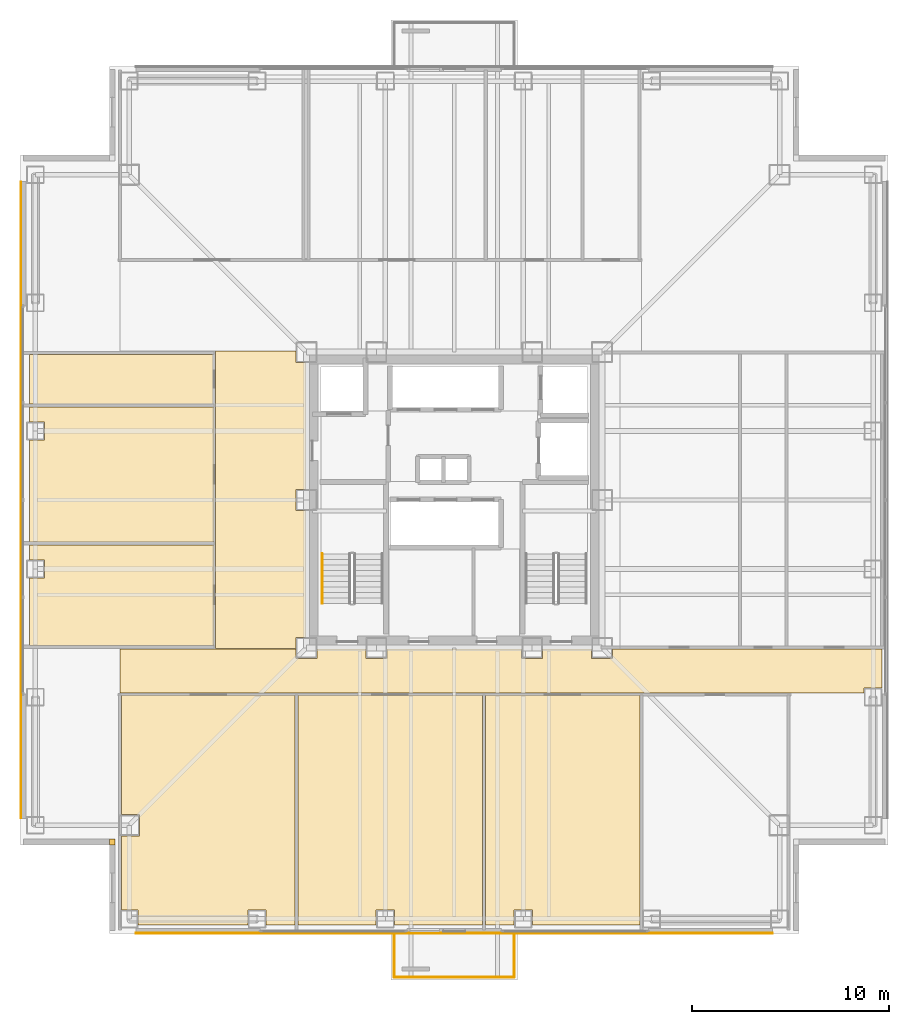
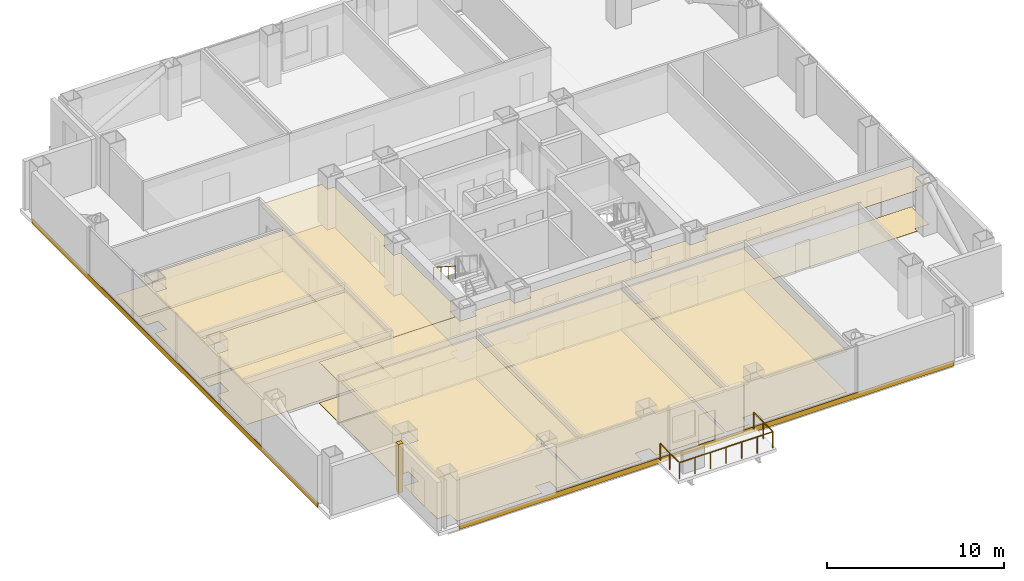
# One storey, part 12 of 14: 18 coverings, 4 railings.
"""IFC4 building model written with IfcOpenShell, lengths in metres."""

from ifc_helpers import new_model, si_unit, direction, frame, frame_2d, origin, origin_2d, place, context, subcontext, project, spatial, polyline, rectangle, circle, outline, extrude, material, layer, layer_set, type_object, element, save


model = new_model("IFC4")

# Units and contexts
model_context = context("Model", 3, precision=1e-05, world=origin(), true_north=direction((0.0, 1.0)))
body_context = subcontext(model_context, "Body", "Model", "MODEL_VIEW")
ifc_project = project(units=[si_unit("LENGTHUNIT", "METRE"), si_unit("AREAUNIT", "SQUARE_METRE"), si_unit("VOLUMEUNIT", "CUBIC_METRE"), si_unit("PLANEANGLEUNIT", "RADIAN"), si_unit("MASSUNIT", "GRAM", prefix="KILO")], contexts=[model_context])

# Site, building, storey
site_placement = place(None, origin())
site = spatial("IfcSite", under=ifc_project, at=site_placement, CompositionType="ELEMENT")
building_placement = place(site_placement, origin())
building = spatial("IfcBuilding", under=site, at=building_placement, Name="Trevonay Congress Spire", CompositionType="ELEMENT")
storey_placement = place(building_placement, frame((0.0, 0.0, 133.60009765625)))
storey = spatial("IfcBuildingStorey", under=building, at=storey_placement, Name="L34", CompositionType="ELEMENT", Elevation=133.60009765625)

# Coverings
ifc_material_1 = material(Name="Acoustic Mineral Fibre Board", Category="gypsum")
ifc_layer_1 = layer(ifc_material_1, 0.02490234375, Name="Acoustic Mineral Fibre Board")
ifc_layer_set_1 = layer_set([ifc_layer_1], Name="Acoustic Mineral Fibre Board")
covering_type_1 = type_object("IfcCoveringType", Name="COV-CEIL-ACOUSTIC", PredefinedType="CEILING", material=ifc_layer_set_1)
covering_1_placement = place(storey_placement, frame((0.0, 0.0, 2.809814453125)))
element("IfcCovering", 1, at=covering_1_placement, inside=storey, type_object=covering_type_1, Name="L34 Congress South Spine Corridor acoustic suspended ceiling", PredefinedType="CEILING", context=body_context, shape_type="SweptSolid", body=[
    extrude(outline(polyline([(-16.949951171875, -9.800048828125), (-16.949951171875, -7.550048828125), (-8.034912109375, -7.550048828125), (-8.034912109375, -8.034912109375), (-6.965087890625, -8.034912109375), (-6.965087890625, -7.550048828125), (-4.485107421875, -7.550048828125), (-4.485107421875, -8.034912109375), (-3.4150390625, -8.034912109375), (-3.4150390625, -7.550048828125), (3.4150390625, -7.550048828125), (3.4150390625, -8.034912109375), (4.485107421875, -8.034912109375), (4.485107421875, -7.550048828125), (6.965087890625, -7.550048828125), (6.965087890625, -8.034912109375), (8.034912109375, -8.034912109375), (8.034912109375, -7.550048828125), (21.699951171875, -7.550048828125), (21.699951171875, -9.5400390625), (20.7900390625, -9.5400390625), (20.7900390625, -9.800048828125), (-16.949951171875, -9.800048828125)])), origin(), (0.0, 0.0, 1.0), 0.025146484375),
])
covering_2_placement = place(storey_placement, frame((0.0, 0.0, 2.809814453125)))
element("IfcCovering", 2, at=covering_2_placement, inside=storey, type_object=covering_type_1, Name="L34 West Sky Promenade Salon acoustic suspended ceiling", PredefinedType="CEILING", context=body_context, shape_type="SweptSolid", body=[
    extrude(outline(polyline([(-12.10009765625, 7.550048828125), (-8.034912109375, 7.550048828125), (-8.034912109375, 6.965087890625), (-7.550048828125, 6.965087890625), (-7.550048828125, 0.534912109375), (-8.034912109375, 0.534912109375), (-8.034912109375, -0.534912109375), (-7.550048828125, -0.534912109375), (-7.550048828125, -6.965087890625), (-8.034912109375, -6.965087890625), (-8.034912109375, -7.5400390625), (-12.10009765625, -7.5400390625), (-12.10009765625, 7.550048828125)])), origin(), (0.0, 0.0, 1.0), 0.025146484375),
])
covering_3_placement = place(storey_placement, frame((0.0, 0.0, 2.809814453125)))
element("IfcCovering", 3, at=covering_3_placement, inside=storey, type_object=covering_type_1, Name="L34 Diplomatic Academy Lecture Room 1 acoustic suspended ceiling", PredefinedType="CEILING", context=body_context, shape_type="SweptSolid", body=[
    extrude(outline(polyline([(-16.0400390625, -21.550048828125), (-16.0400390625, -20.7900390625), (-16.8701171875, -20.7900390625), (-16.8701171875, -17.034912109375), (-15.965087890625, -17.034912109375), (-15.965087890625, -15.965087890625), (-16.8701171875, -15.965087890625), (-16.8701171875, -9.8798828125), (-8.080078125, -9.8798828125), (-8.080078125, -21.550048828125), (-9.5400390625, -21.550048828125), (-9.5400390625, -20.7900390625), (-10.4599609375, -20.7900390625), (-10.4599609375, -21.550048828125), (-16.0400390625, -21.550048828125)])), origin(), (0.0, 0.0, 1.0), 0.025146484375),
])
covering_4_placement = place(storey_placement, frame((0.0, 0.0, 2.809814453125)))
element("IfcCovering", 4, at=covering_4_placement, inside=storey, type_object=covering_type_1, Name="L34 Language Lab Classroom 2 acoustic suspended ceiling", PredefinedType="CEILING", context=body_context, shape_type="SweptSolid", body=[
    extrude(outline(polyline([(-7.919921875, -21.550048828125), (-7.919921875, -9.8798828125), (1.419921875, -9.8798828125), (1.419921875, -21.550048828125), (-3.0400390625, -21.550048828125), (-3.0400390625, -20.7900390625), (-3.9599609375, -20.7900390625), (-3.9599609375, -21.550048828125), (-7.919921875, -21.550048828125)])), origin(), (0.0, 0.0, 1.0), 0.025146484375),
])
covering_5_placement = place(storey_placement, frame((0.0, 0.0, 2.809814453125)))
element("IfcCovering", 5, at=covering_5_placement, inside=storey, type_object=covering_type_1, Name="L34 Reference Library Reading Hall acoustic suspended ceiling", PredefinedType="CEILING", context=body_context, shape_type="SweptSolid", body=[
    extrude(outline(polyline([(1.580078125, -21.550048828125), (1.580078125, -9.8798828125), (9.419921875, -9.8798828125), (9.419921875, -21.550048828125), (3.9599609375, -21.550048828125), (3.9599609375, -20.7900390625), (3.0400390625, -20.7900390625), (3.0400390625, -21.550048828125), (1.580078125, -21.550048828125)])), origin(), (0.0, 0.0, 1.0), 0.025146484375),
])
covering_6_placement = place(storey_placement, frame((0.0, 0.0, 2.809814453125)))
element("IfcCovering", 6, at=covering_6_placement, inside=storey, type_object=covering_type_1, Name="L34 Faculty Office West acoustic suspended ceiling", PredefinedType="CEILING", context=body_context, shape_type="SweptSolid", body=[
    extrude(outline(polyline([(-21.550048828125, -2.280029296875), (-12.179931640625, -2.280029296875), (-12.179931640625, -7.3701171875), (-21.550048828125, -7.3701171875), (-21.550048828125, -3.9599609375), (-20.7900390625, -3.9599609375), (-20.7900390625, -3.0400390625), (-21.550048828125, -3.0400390625), (-21.550048828125, -2.280029296875)])), origin(), (0.0, 0.0, 1.0), 0.025146484375),
])
covering_7_placement = place(storey_placement, frame((0.0, 0.0, 2.809814453125)))
element("IfcCovering", 7, at=covering_7_placement, inside=storey, type_object=covering_type_1, Name="L34 Tutorial Seminar Room acoustic suspended ceiling", PredefinedType="CEILING", context=body_context, shape_type="SweptSolid", body=[
    extrude(outline(polyline([(-21.550048828125, 4.719970703125), (-12.179931640625, 4.719970703125), (-12.179931640625, -2.1201171875), (-21.550048828125, -2.1201171875), (-21.550048828125, 3.0400390625), (-20.7900390625, 3.0400390625), (-20.7900390625, 3.9599609375), (-21.550048828125, 3.9599609375), (-21.550048828125, 4.719970703125)])), origin(), (0.0, 0.0, 1.0), 0.025146484375),
])
ifc_material_2 = material(Name="Polished Granite Floor Tile", Category="masonry")
ifc_layer_2 = layer(ifc_material_2, 0.02001953125, Name="Polished Granite Floor Tile")
ifc_layer_set_2 = layer_set([ifc_layer_2], Name="Polished Granite Floor Tile")
covering_type_2 = type_object("IfcCoveringType", Name="COV-FLOOR-STONE", PredefinedType="FLOORING", material=ifc_layer_set_2)
covering_8_placement = place(storey_placement, origin())
element("IfcCovering", 8, at=covering_8_placement, inside=storey, type_object=covering_type_2, Name="L34 Congress South Spine Corridor floor finish", PredefinedType="FLOORING", context=body_context, shape_type="SweptSolid", body=[
    extrude(outline(polyline([(-16.949951171875, -9.800048828125), (-16.949951171875, -7.550048828125), (-8.034912109375, -7.550048828125), (-8.034912109375, -8.034912109375), (-6.965087890625, -8.034912109375), (-6.965087890625, -7.550048828125), (-4.485107421875, -7.550048828125), (-4.485107421875, -8.034912109375), (-3.4150390625, -8.034912109375), (-3.4150390625, -7.550048828125), (3.4150390625, -7.550048828125), (3.4150390625, -8.034912109375), (4.485107421875, -8.034912109375), (4.485107421875, -7.550048828125), (6.965087890625, -7.550048828125), (6.965087890625, -8.034912109375), (8.034912109375, -8.034912109375), (8.034912109375, -7.550048828125), (21.699951171875, -7.550048828125), (21.699951171875, -9.5400390625), (20.7900390625, -9.5400390625), (20.7900390625, -9.800048828125), (-16.949951171875, -9.800048828125)])), origin(), (0.0, 0.0, 1.0), 0.02001953125),
])
covering_9_placement = place(storey_placement, origin())
element("IfcCovering", 9, at=covering_9_placement, inside=storey, type_object=covering_type_2, Name="L34 Accessible WC floor finish", PredefinedType="FLOORING", context=body_context, shape_type="SweptSolid", body=[
    extrude(outline(polyline([(-21.550048828125, 4.8798828125), (-12.179931640625, 4.8798828125), (-12.179931640625, 7.3701171875), (-21.550048828125, 7.3701171875), (-21.550048828125, 4.8798828125)])), origin(), (0.0, 0.0, 1.0), 0.02001953125),
])
ifc_material_3 = material(Name="Engineered Oak Flooring", Category="wood")
ifc_layer_3 = layer(ifc_material_3, 0.01806640625, Name="Engineered Oak Flooring")
ifc_layer_set_3 = layer_set([ifc_layer_3], Name="Engineered Oak Flooring")
covering_type_3 = type_object("IfcCoveringType", Name="COV-FLOOR-TIMBER", PredefinedType="FLOORING", material=ifc_layer_set_3)
covering_10_placement = place(storey_placement, origin())
element("IfcCovering", 10, at=covering_10_placement, inside=storey, type_object=covering_type_3, Name="L34 West Sky Promenade Salon floor finish", PredefinedType="FLOORING", context=body_context, shape_type="SweptSolid", body=[
    extrude(outline(polyline([(-12.10009765625, 7.550048828125), (-8.034912109375, 7.550048828125), (-8.034912109375, 6.965087890625), (-7.550048828125, 6.965087890625), (-7.550048828125, 0.534912109375), (-8.034912109375, 0.534912109375), (-8.034912109375, -0.534912109375), (-7.550048828125, -0.534912109375), (-7.550048828125, -6.965087890625), (-8.034912109375, -6.965087890625), (-8.034912109375, -7.5400390625), (-12.10009765625, -7.5400390625), (-12.10009765625, 7.550048828125)])), origin(), (0.0, 0.0, 1.0), 0.017822265625),
])
covering_11_placement = place(storey_placement, origin())
element("IfcCovering", 11, at=covering_11_placement, inside=storey, type_object=covering_type_3, Name="L34 Diplomatic Academy Lecture Room 1 floor finish", PredefinedType="FLOORING", context=body_context, shape_type="SweptSolid", body=[
    extrude(outline(polyline([(-16.0400390625, -21.550048828125), (-16.0400390625, -20.7900390625), (-16.8701171875, -20.7900390625), (-16.8701171875, -17.034912109375), (-15.965087890625, -17.034912109375), (-15.965087890625, -15.965087890625), (-16.8701171875, -15.965087890625), (-16.8701171875, -9.8798828125), (-8.080078125, -9.8798828125), (-8.080078125, -21.550048828125), (-9.5400390625, -21.550048828125), (-9.5400390625, -20.7900390625), (-10.4599609375, -20.7900390625), (-10.4599609375, -21.550048828125), (-16.0400390625, -21.550048828125)])), origin(), (0.0, 0.0, 1.0), 0.017822265625),
])
covering_12_placement = place(storey_placement, origin())
element("IfcCovering", 12, at=covering_12_placement, inside=storey, type_object=covering_type_3, Name="L34 Language Lab Classroom 2 floor finish", PredefinedType="FLOORING", context=body_context, shape_type="SweptSolid", body=[
    extrude(outline(polyline([(-7.919921875, -21.550048828125), (-7.919921875, -9.8798828125), (1.419921875, -9.8798828125), (1.419921875, -21.550048828125), (-3.0400390625, -21.550048828125), (-3.0400390625, -20.7900390625), (-3.9599609375, -20.7900390625), (-3.9599609375, -21.550048828125), (-7.919921875, -21.550048828125)])), origin(), (0.0, 0.0, 1.0), 0.017822265625),
])
covering_13_placement = place(storey_placement, origin())
element("IfcCovering", 13, at=covering_13_placement, inside=storey, type_object=covering_type_3, Name="L34 Reference Library Reading Hall floor finish", PredefinedType="FLOORING", context=body_context, shape_type="SweptSolid", body=[
    extrude(outline(polyline([(1.580078125, -21.550048828125), (1.580078125, -9.8798828125), (9.419921875, -9.8798828125), (9.419921875, -21.550048828125), (3.9599609375, -21.550048828125), (3.9599609375, -20.7900390625), (3.0400390625, -20.7900390625), (3.0400390625, -21.550048828125), (1.580078125, -21.550048828125)])), origin(), (0.0, 0.0, 1.0), 0.017822265625),
])
covering_14_placement = place(storey_placement, origin())
element("IfcCovering", 14, at=covering_14_placement, inside=storey, type_object=covering_type_3, Name="L34 Faculty Office West floor finish", PredefinedType="FLOORING", context=body_context, shape_type="SweptSolid", body=[
    extrude(outline(polyline([(-21.550048828125, -2.280029296875), (-12.179931640625, -2.280029296875), (-12.179931640625, -7.3701171875), (-21.550048828125, -7.3701171875), (-21.550048828125, -3.9599609375), (-20.7900390625, -3.9599609375), (-20.7900390625, -3.0400390625), (-21.550048828125, -3.0400390625), (-21.550048828125, -2.280029296875)])), origin(), (0.0, 0.0, 1.0), 0.017822265625),
])
covering_15_placement = place(storey_placement, origin())
element("IfcCovering", 15, at=covering_15_placement, inside=storey, type_object=covering_type_3, Name="L34 Tutorial Seminar Room floor finish", PredefinedType="FLOORING", context=body_context, shape_type="SweptSolid", body=[
    extrude(outline(polyline([(-21.550048828125, 4.719970703125), (-12.179931640625, 4.719970703125), (-12.179931640625, -2.1201171875), (-21.550048828125, -2.1201171875), (-21.550048828125, 3.0400390625), (-20.7900390625, 3.0400390625), (-20.7900390625, 3.9599609375), (-21.550048828125, 3.9599609375), (-21.550048828125, 4.719970703125)])), origin(), (0.0, 0.0, 1.0), 0.017822265625),
])
ifc_material_4 = material(Name="Pale Anodised Aluminium EN AW-6063-T6", Category="aluminium")
ifc_layer_4 = layer(ifc_material_4, 0.0400390625, Name="Pale Anodised Aluminium EN AW-6063-T6")
ifc_layer_set_4 = layer_set([ifc_layer_4], Name="Pale Anodised Aluminium EN AW-6063-T6")
covering_type_4 = type_object("IfcCoveringType", Name="COV-SPANDREL-PALE-METAL", PredefinedType="CLADDING", material=ifc_layer_set_4)
for number, where, z_axis, x_axis, name in (
    (16, (-16.14990234375, -21.97998046875, -0.239990234375), (0.0, 0.0, 1.0), (1.0, 0.0, 0.0), "L34 S pale-metal slab-edge spandrel cladding"),
    (17, (-21.97998046875, -16.14990234375, -0.239990234375), (0.0, 0.0, 1.0), (0.0, 1.0, 0.0), "L34 W pale-metal slab-edge spandrel cladding"),
):
    element("IfcCovering", number, at=place(storey_placement, frame(where, z_axis=z_axis, x_axis=x_axis)), inside=storey, type_object=covering_type_4, Name=name, PredefinedType="CLADDING", context=body_context, shape_type="SweptSolid", body=[
        extrude(rectangle(XDim=32.2998046875, YDim=0.0400390625, at=frame_2d((16.14990234375, 0.0))), origin(), (0.0, 0.0, 1.0), 0.35986328125),
    ])
covering_16_placement = place(storey_placement, origin())
element("IfcCovering", 18, at=covering_16_placement, inside=storey, type_object=covering_type_4, Name="L34 SW re-entrant notch corner closure trim", PredefinedType="CLADDING", context=body_context, shape_type="SweptSolid", body=[
    extrude(outline(polyline([(-17.5, -17.5), (-17.199951171875, -17.5), (-17.199951171875, -17.199951171875), (-17.5, -17.199951171875), (-17.5, -17.5)])), origin(), (0.0, 0.0, 1.0), 3.35986328125),
])

# Railings
railing_type_1 = type_object("IfcRailingType", Name="RAL-EXT-GUARD-115", PredefinedType="GUARDRAIL", material=ifc_material_4)
railing_1_placement = place(storey_placement, frame((-3.050048828125, -22.050048828125, 0.0)))
element("IfcRailing", 19, at=railing_1_placement, inside=storey, type_object=railing_type_1, Name="L34 perimeter safety guard GRD-L34-TBAL-S-1", PredefinedType="GUARDRAIL", context=body_context, shape_type="SweptSolid", body=[
    extrude(circle(Radius=0.02392578125, at=origin_2d()), frame((0.0, 0.0, 1.1259765625), z_axis=(0.0, -1.0, 0.0), x_axis=(1.0, 0.0, 0.0)), (0.0, 0.0, 1.0), 2.14990234375),
    extrude(circle(Radius=0.02099609375, at=origin_2d()), origin(), (0.0, 0.0, 1.0), 1.101806640625),
    extrude(circle(Radius=0.02099609375, at=origin_2d()), frame((0.0, -1.074951171875, 0.0)), (0.0, 0.0, 1.0), 1.101806640625),
    extrude(circle(Radius=0.02099609375, at=origin_2d()), frame((0.0, -2.14990234375, 0.0)), (0.0, 0.0, 1.0), 1.101806640625),
])
railing_2_placement = place(storey_placement, frame((-3.050048828125, -24.199951171875, 0.0)))
element("IfcRailing", 20, at=railing_2_placement, inside=storey, type_object=railing_type_1, Name="L34 perimeter safety guard GRD-L34-TBAL-S-2", PredefinedType="GUARDRAIL", context=body_context, shape_type="SweptSolid", body=[
    extrude(circle(Radius=0.02392578125, at=origin_2d()), frame((0.0, 0.0, 1.1259765625), z_axis=(1.0, 0.0, 0.0), x_axis=(0.0, 1.0, 0.0)), (0.0, 0.0, 1.0), 6.10009765625),
    extrude(circle(Radius=0.02099609375, at=origin_2d()), origin(), (0.0, 0.0, 1.0), 1.101806640625),
    extrude(circle(Radius=0.02099609375, at=origin_2d()), frame((1.0166015625, 0.0, 0.0)), (0.0, 0.0, 1.0), 1.101806640625),
    extrude(circle(Radius=0.02099609375, at=origin_2d()), frame((2.033447265625, 0.0, 0.0)), (0.0, 0.0, 1.0), 1.101806640625),
    extrude(circle(Radius=0.02099609375, at=origin_2d()), frame((3.050048828125, 0.0, 0.0)), (0.0, 0.0, 1.0), 1.101806640625),
    extrude(circle(Radius=0.02099609375, at=origin_2d()), frame((4.066650390625, 0.0, 0.0)), (0.0, 0.0, 1.0), 1.101806640625),
    extrude(circle(Radius=0.02099609375, at=origin_2d()), frame((5.08349609375, 0.0, 0.0)), (0.0, 0.0, 1.0), 1.101806640625),
    extrude(circle(Radius=0.02099609375, at=origin_2d()), frame((6.10009765625, 0.0, 0.0)), (0.0, 0.0, 1.0), 1.101806640625),
])
railing_3_placement = place(storey_placement, frame((3.050048828125, -24.199951171875, 0.0)))
element("IfcRailing", 21, at=railing_3_placement, inside=storey, type_object=railing_type_1, Name="L34 perimeter safety guard GRD-L34-TBAL-S-3", PredefinedType="GUARDRAIL", context=body_context, shape_type="SweptSolid", body=[
    extrude(circle(Radius=0.02392578125, at=origin_2d()), frame((0.0, 0.0, 1.1259765625), z_axis=(0.0, 1.0, 0.0), x_axis=(-1.0, 0.0, 0.0)), (0.0, 0.0, 1.0), 2.14990234375),
    extrude(circle(Radius=0.02099609375, at=origin_2d()), origin(), (0.0, 0.0, 1.0), 1.101806640625),
    extrude(circle(Radius=0.02099609375, at=origin_2d()), frame((0.0, 1.074951171875, 0.0)), (0.0, 0.0, 1.0), 1.101806640625),
    extrude(circle(Radius=0.02099609375, at=origin_2d()), frame((0.0, 2.14990234375, 0.0)), (0.0, 0.0, 1.0), 1.101806640625),
])
railing_type_2 = type_object("IfcRailingType", Name="RAL-STAIR-HANDRAIL", PredefinedType="HANDRAIL", material=ifc_material_4)
railing_4_placement = place(storey_placement, frame((-6.699951171875, -2.72998046875, 1.97998046875)))
element("IfcRailing", 22, at=railing_4_placement, inside=storey, type_object=railing_type_2, Name="L34 ST-1 stair handrail 2", PredefinedType="HANDRAIL", context=body_context, shape_type="SweptSolid", body=[
    extrude(circle(Radius=0.02392578125, at=origin_2d()), frame((0.0, 0.0, 0.8759765625), z_axis=(0.0, -0.841199657755, 0.540724639528), x_axis=(1.0, 0.0, 0.0)), (0.0, 0.0, 1.0), 2.995849609375),
    extrude(circle(Radius=0.02099609375, at=origin_2d()), origin(), (0.0, 0.0, 1.0), 0.851806640625),
    extrude(circle(Radius=0.02099609375, at=origin_2d()), frame((0.0, -0.840087890625, 0.5400390625)), (0.0, 0.0, 1.0), 0.851806640625),
    extrude(circle(Radius=0.02099609375, at=origin_2d()), frame((0.0, -1.679931640625, 1.079833984375)), (0.0, 0.0, 1.0), 0.851806640625),
    extrude(circle(Radius=0.02099609375, at=origin_2d()), frame((0.0, -2.52001953125, 1.619873046875)), (0.0, 0.0, 1.0), 0.851806640625),
])

save(model, "model.ifc")
